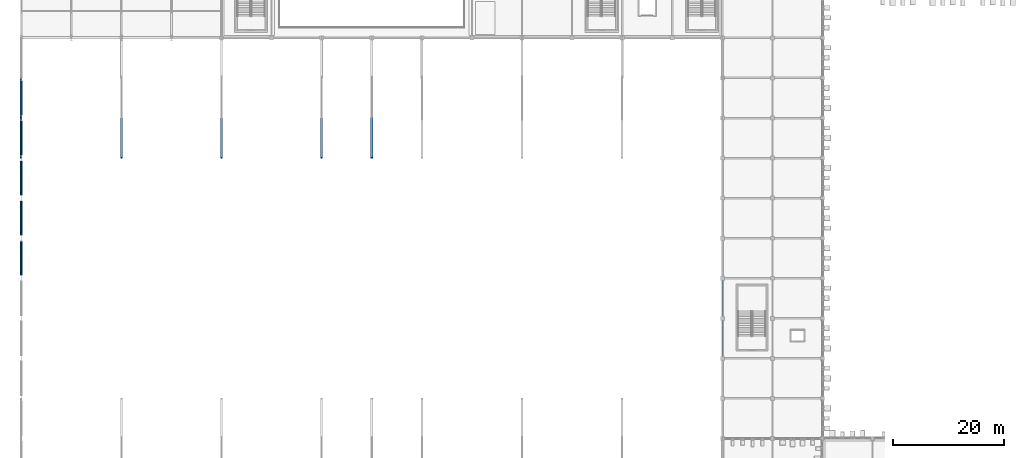
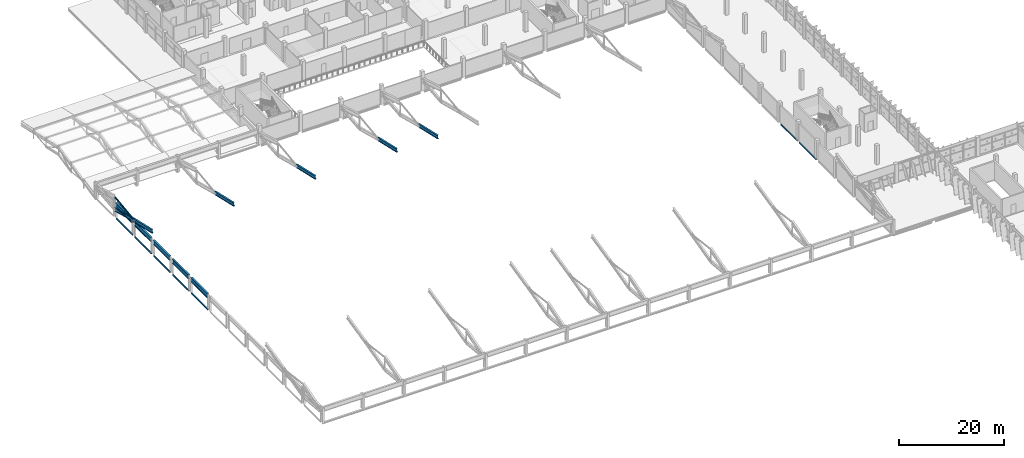
# One storey, part 21 of 151: 12 beams, 7 members.
"""IFC4 building model written with IfcOpenShell, lengths in metres."""

from ifc_helpers import new_model, si_unit, direction, frame, origin, origin_2d, place, context, subcontext, project, spatial, hollow_rectangle, hollow_circle, i_section, extrude, material, material_profile, profile_set, type_object, element, save


model = new_model("IFC4")

# Units and contexts
model_context = context("Model", 3, precision=1e-05, world=origin(), true_north=direction((0.0, 1.0)))
body_context = subcontext(model_context, "Body", "Model", "MODEL_VIEW")
ifc_project = project(units=[si_unit("LENGTHUNIT", "METRE"), si_unit("AREAUNIT", "SQUARE_METRE"), si_unit("VOLUMEUNIT", "CUBIC_METRE"), si_unit("PLANEANGLEUNIT", "RADIAN"), si_unit("MASSUNIT", "GRAM", prefix="KILO")], contexts=[model_context])

# Site, building, storey
site_placement = place(None, origin())
site = spatial("IfcSite", under=ifc_project, at=site_placement, CompositionType="ELEMENT")
building_placement = place(site_placement, origin())
building = spatial("IfcBuilding", under=site, at=building_placement, Name="Celestram Park Convention Centre", CompositionType="ELEMENT")
storey_placement = place(building_placement, frame((0.0, 0.0, 10.800048828125)))
storey = spatial("IfcBuildingStorey", under=building, at=storey_placement, Name="L02", CompositionType="ELEMENT", Elevation=10.800048828125)

# Beams
ifc_material_1 = material(Name="Steel ASTM A992 Grade 50", Category="steel")
ifc_material_profile_1 = material_profile(ifc_material_1, i_section(OverallWidth=0.40087890625, OverallDepth=1.010986328125, WebThickness=0.023681640625, FlangeThickness=0.0419921875, at=origin_2d()), Name="W40X297")
ifc_profile_set_1 = profile_set([ifc_material_profile_1], Name="Steel ASTM A992 Grade 50")
beam_type_1 = type_object("IfcBeamType", Name="STR-BM-W40X297", PredefinedType="BEAM", material=ifc_profile_set_1)
for number, where, z_axis, x_axis, name in (
    (1, (0.0, 65.303466796875, 3.094482421875), (0.0, 1.0, 0.0), (-1.0, 0.0, 0.0), "Exhibition gable tie girder BG-L02-0396"),
    (2, (0.0, 72.50341796875, 3.094482421875), (0.0, 1.0, 0.0), (-1.0, 0.0, 0.0), "Exhibition gable tie girder BG-L02-0397"),
):
    element("IfcBeam", number, at=place(storey_placement, frame(where, z_axis=z_axis, x_axis=x_axis)), inside=storey, type_object=beam_type_1, Name=name, PredefinedType="BEAM", context=body_context, shape_type="SweptSolid", body=[
        extrude(i_section(OverallWidth=0.40087890625, OverallDepth=1.010986328125, WebThickness=0.023681640625, FlangeThickness=0.0419921875, at=origin_2d()), origin(), (0.0, 0.0, 1.0), 6.193115234375),
    ])
for number, where, z_axis, x_axis, name in (
    (3, (0.0, 79.70361328125, 3.094482421875), (0.0, 1.0, 0.0), (-1.0, 0.0, 0.0), "Exhibition gable tie girder BG-L02-0398"),
    (4, (0.0, 86.903564453125, 3.094482421875), (0.0, 1.0, 0.0), (-1.0, 0.0, 0.0), "Exhibition gable tie girder BG-L02-0399"),
    (5, (0.0, 94.103515625, 3.094482421875), (0.0, 1.0, 0.0), (-1.0, 0.0, 0.0), "Exhibition gable tie girder BG-L02-0400"),
):
    element("IfcBeam", number, at=place(storey_placement, frame(where, z_axis=z_axis, x_axis=x_axis)), inside=storey, type_object=beam_type_1, Name=name, PredefinedType="BEAM", context=body_context, shape_type="SweptSolid", body=[
        extrude(i_section(OverallWidth=0.40087890625, OverallDepth=1.010986328125, WebThickness=0.023681640625, FlangeThickness=0.0419921875, at=origin_2d()), origin(), (0.0, 0.0, 1.0), 6.19287109375),
    ])

# Members
ifc_material_2 = material(Name="Steel ASTM A500 Grade C", Category="steel")
ifc_material_profile_2 = material_profile(ifc_material_2, hollow_circle(Radius=0.177978515625, WallThickness=0.011962890625, at=origin_2d()), Name="CHS356X12")
ifc_profile_set_2 = profile_set([ifc_material_profile_2], Name="Steel ASTM A500 Grade C")
member_type_1 = type_object("IfcMemberType", Name="STR-BRC-CHS356", PredefinedType="BRACE", material=ifc_profile_set_2)
member_1_placement = place(storey_placement, frame((0.0, 93.60009765625, 3.615234375), z_axis=(0.0, 0.991906664472, 0.126969165453), x_axis=(-1.0, 0.0, 0.0)))
element("IfcMember", 6, at=member_1_placement, inside=storey, type_object=member_type_1, Name="V1 arch web diagonal", PredefinedType="BRACE", context=body_context, shape_type="SweptSolid", body=[
    extrude(hollow_circle(Radius=0.177978515625, WallThickness=0.011962890625, at=origin_2d()), origin(), (0.0, 0.0, 1.0), 7.2587890625),
])
ifc_material_profile_3 = material_profile(ifc_material_1, i_section(OverallWidth=0.381103515625, OverallDepth=0.77197265625, WebThickness=0.0166015625, FlangeThickness=0.027099609375, at=origin_2d()), Name="W30X173")
ifc_profile_set_3 = profile_set([ifc_material_profile_3], Name="Steel ASTM A992 Grade 50")
member_type_2 = type_object("IfcMemberType", Name="STR-CHD-W30X173", PredefinedType="CHORD", material=ifc_profile_set_3)
member_2_placement = place(storey_placement, frame((0.0, 86.39990234375, 5.263427734375), z_axis=(0.0, 0.974786863686, -0.223138007485), x_axis=(-1.0, 0.0, 0.0)))
element("IfcMember", 7, at=member_2_placement, inside=storey, type_object=member_type_2, Name="V1 arch bottom chord", PredefinedType="CHORD", context=body_context, shape_type="SweptSolid", body=[
    extrude(i_section(OverallWidth=0.381103515625, OverallDepth=0.77197265625, WebThickness=0.0166015625, FlangeThickness=0.027099609375, at=origin_2d()), origin(), (0.0, 0.0, 1.0), 7.386474609375),
])
member_3_placement = place(storey_placement, frame((0.0, 93.60009765625, 3.615234375), z_axis=(0.0, 0.967611697295, -0.252443267403), x_axis=(-1.0, 0.0, 0.0)))
element("IfcMember", 8, at=member_3_placement, inside=storey, type_object=member_type_2, Name="V1 arch bottom chord", PredefinedType="CHORD", context=body_context, shape_type="SweptSolid", body=[
    extrude(i_section(OverallWidth=0.381103515625, OverallDepth=0.77197265625, WebThickness=0.0166015625, FlangeThickness=0.027099609375, at=origin_2d()), origin(), (0.0, 0.0, 1.0), 7.44091796875),
])
for number, where, z_axis, x_axis, name in (
    (9, (18.0, 86.39990234375, 5.263427734375), (0.0, 0.974786863686, -0.223138007485), (-1.0, 0.0, 0.0), "V1 arch bottom chord"),
    (10, (36.0, 86.39990234375, 5.263427734375), (0.0, 0.974786863686, -0.223138007485), (-1.0, 0.0, 0.0), "V1 arch bottom chord"),
    (11, (54.0, 86.39990234375, 5.263427734375), (0.0, 0.974786863686, -0.223138007485), (-1.0, 0.0, 0.0), "V1 arch bottom chord"),
    (12, (63.0, 86.39990234375, 5.263427734375), (0.0, 0.974786863686, -0.223138007485), (-1.0, 0.0, 0.0), "V1 arch bottom chord"),
):
    element("IfcMember", number, at=place(storey_placement, frame(where, z_axis=z_axis, x_axis=x_axis)), inside=storey, type_object=member_type_2, Name=name, PredefinedType="CHORD", context=body_context, shape_type="SweptSolid", body=[
        extrude(i_section(OverallWidth=0.381103515625, OverallDepth=0.77197265625, WebThickness=0.0166015625, FlangeThickness=0.027099609375, at=origin_2d()), origin(), (0.0, 0.0, 1.0), 7.386474609375),
    ])

# Beams
ifc_material_profile_4 = material_profile(ifc_material_2, hollow_rectangle(XDim=0.199951171875, YDim=0.300048828125, WallThickness=0.011962890625, at=origin_2d()), Name="HSS300X200X12")
ifc_profile_set_4 = profile_set([ifc_material_profile_4], Name="Steel ASTM A500 Grade C")
beam_type_2 = type_object("IfcBeamType", Name="STR-SPN-HSS300X200", PredefinedType="SPANDREL", material=ifc_profile_set_4)
beam_1_placement = place(storey_placement, frame((126.0, 50.798095703125, -0.429931640625), z_axis=(0.0, 1.0, 0.0), x_axis=(-1.0, 0.0, 0.0)))
element("IfcBeam", 13, at=beam_1_placement, inside=storey, type_object=beam_type_2, Name="Primary Y-girder BG-L02-0165", PredefinedType="SPANDREL", context=body_context, shape_type="SweptSolid", body=[
    extrude(hollow_rectangle(XDim=0.199951171875, YDim=0.300048828125, WallThickness=0.011962890625, at=origin_2d()), origin(), (0.0, 0.0, 1.0), 6.40380859375),
])
beam_2_placement = place(storey_placement, frame((126.0, 57.998046875, -0.429931640625), z_axis=(0.0, 1.0, 0.0), x_axis=(-1.0, 0.0, 0.0)))
element("IfcBeam", 14, at=beam_2_placement, inside=storey, type_object=beam_type_2, Name="Primary Y-girder BG-L02-0166", PredefinedType="SPANDREL", context=body_context, shape_type="SweptSolid", body=[
    extrude(hollow_rectangle(XDim=0.199951171875, YDim=0.300048828125, WallThickness=0.011962890625, at=origin_2d()), origin(), (0.0, 0.0, 1.0), 6.404052734375),
])
for number, where, z_axis, x_axis, name in (
    (15, (0.0, 65.263916015625, -0.150146484375), (0.0, 1.0, 0.0), (-1.0, 0.0, 0.0), "High-bay perimeter spandrel SPB-L02-024"),
    (16, (0.0, 72.464111328125, -0.150146484375), (0.0, 1.0, 0.0), (-1.0, 0.0, 0.0), "High-bay perimeter spandrel SPB-L02-025"),
    (17, (0.0, 79.6640625, -0.150146484375), (0.0, 1.0, 0.0), (-1.0, 0.0, 0.0), "High-bay perimeter spandrel SPB-L02-026"),
    (18, (0.0, 86.864013671875, -0.150146484375), (0.0, 1.0, 0.0), (-1.0, 0.0, 0.0), "High-bay perimeter spandrel SPB-L02-027"),
    (19, (0.0, 94.06396484375, -0.150146484375), (0.0, 1.0, 0.0), (-1.0, 0.0, 0.0), "High-bay perimeter spandrel SPB-L02-028"),
):
    element("IfcBeam", number, at=place(storey_placement, frame(where, z_axis=z_axis, x_axis=x_axis)), inside=storey, type_object=beam_type_2, Name=name, PredefinedType="SPANDREL", context=body_context, shape_type="SweptSolid", body=[
        extrude(hollow_rectangle(XDim=0.199951171875, YDim=0.300048828125, WallThickness=0.011962890625, at=origin_2d()), origin(), (0.0, 0.0, 1.0), 6.27197265625),
    ])

save(model, "model.ifc")
